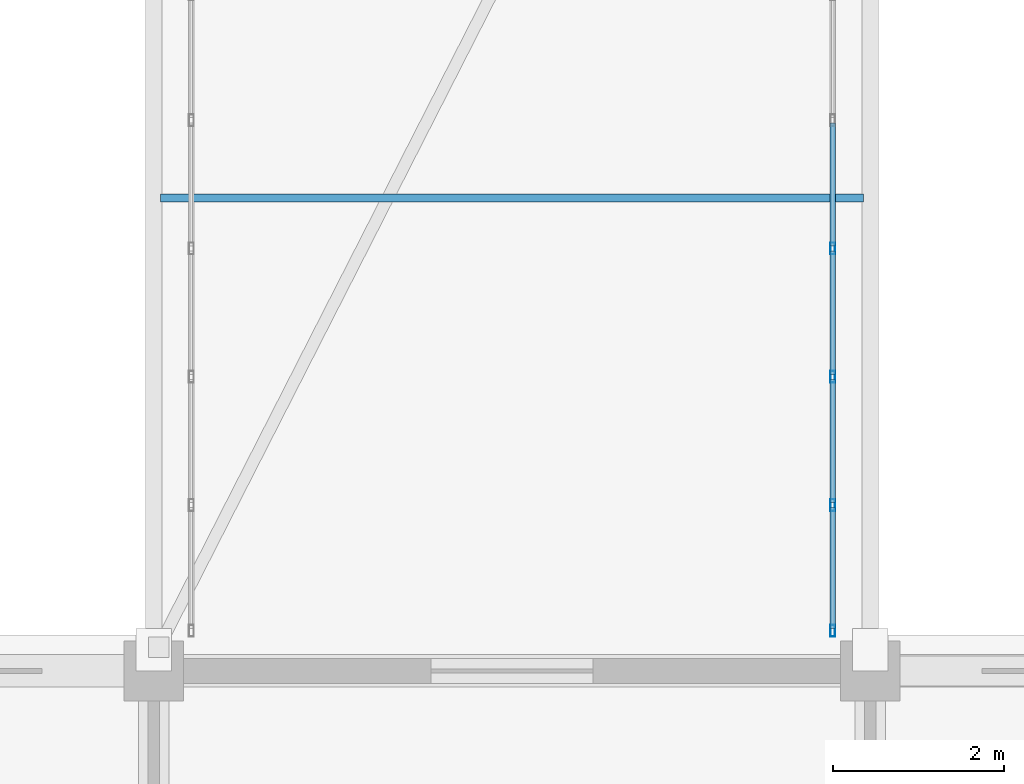
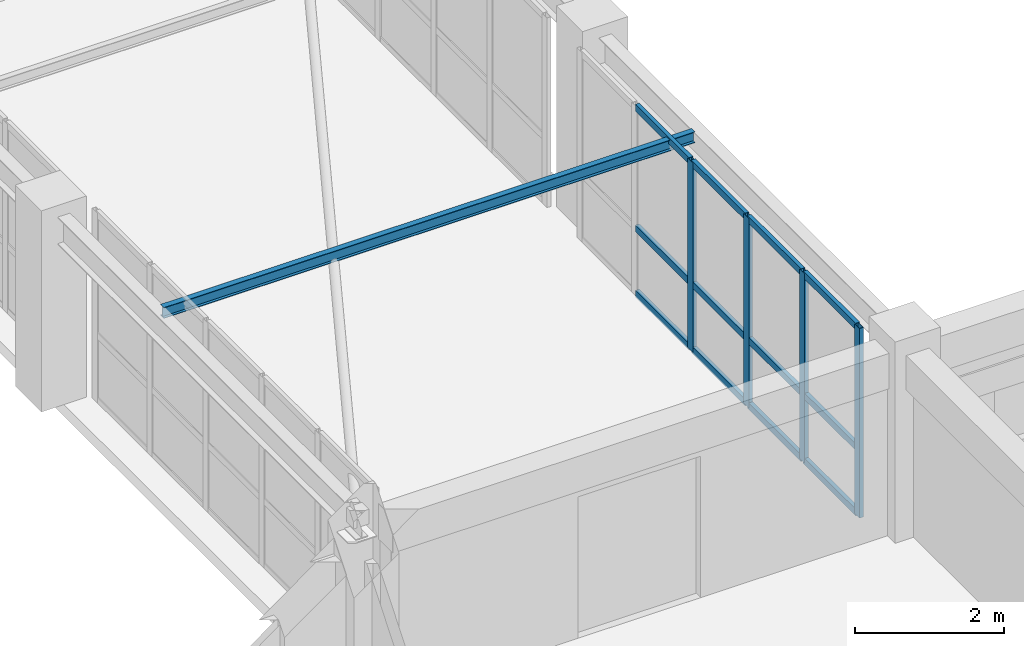
# One storey, part 28 of 148: 16 members, 1 beam, 1 element without a shape of its own.
"""IFC4 building model written with IfcOpenShell, lengths in metres."""

from ifc_helpers import new_model, si_unit, direction, frame, origin, origin_2d, place, context, subcontext, project, spatial, hollow_rectangle, i_section, extrude, material, layer, layer_set, material_profile, profile_set, type_object, element, aggregate, save


model = new_model("IFC4")

# Units and contexts
model_context = context("Model", 3, precision=1e-05, world=origin(), true_north=direction((0.0, 1.0)))
body_context = subcontext(model_context, "Body", "Model", "MODEL_VIEW")
ifc_project = project(units=[si_unit("LENGTHUNIT", "METRE"), si_unit("AREAUNIT", "SQUARE_METRE"), si_unit("VOLUMEUNIT", "CUBIC_METRE"), si_unit("PLANEANGLEUNIT", "RADIAN"), si_unit("MASSUNIT", "GRAM", prefix="KILO")], contexts=[model_context])

# Site, building, storey
site_placement = place(None, origin())
site = spatial("IfcSite", under=ifc_project, at=site_placement, CompositionType="ELEMENT")
building_placement = place(site_placement, origin())
building = spatial("IfcBuilding", under=site, at=building_placement, Name="Trelvath General Hospital", CompositionType="ELEMENT")
storey_placement = place(building_placement, frame((0.0, 0.0, 12.89990234375)))
storey = spatial("IfcBuildingStorey", under=building, at=storey_placement, Name="L03", CompositionType="ELEMENT", Elevation=12.89990234375)

# Beam
ifc_material_1 = material(Name="Steel S355", Category="steel")
ifc_material_profile_1 = material_profile(ifc_material_1, i_section(OverallWidth=0.091064453125, OverallDepth=0.179931640625, WebThickness=0.00537109375, FlangeThickness=0.008056640625, at=origin_2d()), Name="IPE180")
ifc_profile_set_1 = profile_set([ifc_material_profile_1], Name="Steel S355")
beam_type = type_object("IfcBeamType", Name="BridgeJoist IPE180", PredefinedType="JOIST", material=ifc_profile_set_1)
beam_placement = place(storey_placement, frame((75.679931640625, 30.743896484375, 3.02001953125), z_axis=(1.0, 0.0, 0.0), x_axis=(0.0, 1.0, 0.0)))
element("IfcBeam", 1, at=beam_placement, inside=storey, type_object=beam_type, Name="Bridge Cross Joist BRG-S-C L04", PredefinedType="JOIST", context=body_context, shape_type="SweptSolid", body=[
    extrude(i_section(OverallWidth=0.091064453125, OverallDepth=0.179931640625, WebThickness=0.00537109375, FlangeThickness=0.008056640625, at=origin_2d()), origin(), (0.0, 0.0, 1.0), 8.239990234375),
])

# Curtain wall, members
ifc_material_2 = material(Name="Anodised aluminium and low-E glass", Category="aluminium")
ifc_layer = layer(ifc_material_2, 0.139892578125)
ifc_layer_set = layer_set([ifc_layer], Name="Anodised aluminium and low-E glass")
curtain_wall_type = type_object("IfcCurtainWallType", Name="CW Bridge 752 311", PredefinedType="USERDEFINED", material=ifc_layer_set)
curtain_wall_placement = place(storey_placement, origin())
curtain_wall = element("IfcCurtainWall", 2, at=curtain_wall_placement, inside=storey, type_object=curtain_wall_type, Name="Glazed Bridge Curtain Wall BRG-S-C E L03", ObjectType="Unitised Glazed Curtain Wall", PredefinedType="USERDEFINED")
ifc_material_3 = material(Name="Anodised aluminium", Category="aluminium")
ifc_material_profile_2 = material_profile(ifc_material_3, hollow_rectangle(XDim=0.06005859375, YDim=0.139892578125, WallThickness=0.00390625, at=origin_2d()), Name="RHS60x140x4")
ifc_profile_set_2 = profile_set([ifc_material_profile_2], Name="Anodised aluminium")
member_type_1 = type_object("IfcMemberType", Name="CurtainMullion 60x140", PredefinedType="MULLION", material=ifc_profile_set_2)
member_1_placement = place(storey_placement, frame((83.56005859375, 30.152099609375, 0.0), z_axis=(0.0, 0.0, 1.0), x_axis=(1.0, 0.0, 0.0)))
member_1 = element("IfcMember", 3, at=member_1_placement, type_object=member_type_1, Name="CW-265 mullion 3", PredefinedType="MULLION", context=body_context, shape_type="SweptSolid", body=[
    extrude(hollow_rectangle(XDim=0.06005859375, YDim=0.139892578125, WallThickness=0.00390625, at=origin_2d()), origin(), (0.0, 0.0, 1.0), 3.110107421875),
])
member_2_placement = place(storey_placement, frame((83.56005859375, 28.64794921875, 0.0), z_axis=(0.0, 0.0, 1.0), x_axis=(1.0, 0.0, 0.0)))
member_2 = element("IfcMember", 4, at=member_2_placement, type_object=member_type_1, Name="CW-265 mullion 4", PredefinedType="MULLION", context=body_context, shape_type="SweptSolid", body=[
    extrude(hollow_rectangle(XDim=0.06005859375, YDim=0.139892578125, WallThickness=0.00390625, at=origin_2d()), origin(), (0.0, 0.0, 1.0), 3.110107421875),
])
member_3_placement = place(storey_placement, frame((83.56005859375, 27.14404296875, 0.0), z_axis=(0.0, 0.0, 1.0), x_axis=(1.0, 0.0, 0.0)))
member_3 = element("IfcMember", 5, at=member_3_placement, type_object=member_type_1, Name="CW-265 mullion 5", PredefinedType="MULLION", context=body_context, shape_type="SweptSolid", body=[
    extrude(hollow_rectangle(XDim=0.06005859375, YDim=0.139892578125, WallThickness=0.00390625, at=origin_2d()), origin(), (0.0, 0.0, 1.0), 3.110107421875),
])
member_4_placement = place(storey_placement, frame((83.56005859375, 25.669921875, 0.0), z_axis=(0.0, 0.0, 1.0), x_axis=(1.0, 0.0, 0.0)))
member_4 = element("IfcMember", 6, at=member_4_placement, type_object=member_type_1, Name="CW-265 mullion 6", PredefinedType="MULLION", context=body_context, shape_type="SweptSolid", body=[
    extrude(hollow_rectangle(XDim=0.06005859375, YDim=0.139892578125, WallThickness=0.00390625, at=origin_2d()), origin(), (0.0, 0.0, 1.0), 3.110107421875),
])
ifc_material_4 = material(Name="Anodised aluminium", Category="aluminium")
ifc_material_profile_3 = material_profile(ifc_material_4, hollow_rectangle(XDim=0.06005859375, YDim=0.110107421875, WallThickness=0.00390625, at=origin_2d()), Name="RHS60x110x4")
ifc_profile_set_3 = profile_set([ifc_material_profile_3], Name="Anodised aluminium")
member_type_2 = type_object("IfcMemberType", Name="CurtainTransom 60x110", PredefinedType="USERDEFINED", material=ifc_profile_set_3)
member_5_placement = place(storey_placement, frame((83.56005859375, 31.6259765625, 0.030029296875), z_axis=(0.0, -1.0, 0.0), x_axis=(1.0, 0.0, 0.0)))
member_5 = element("IfcMember", 7, at=member_5_placement, type_object=member_type_2, Name="CW-265 transom 2.1", ObjectType="TRANSOM", PredefinedType="USERDEFINED", context=body_context, shape_type="SweptSolid", body=[
    extrude(hollow_rectangle(XDim=0.06005859375, YDim=0.110107421875, WallThickness=0.00390625, at=origin_2d()), origin(), (0.0, 0.0, 1.0), 1.444091796875),
])
member_6_placement = place(storey_placement, frame((83.56005859375, 31.6259765625, 1.10009765625), z_axis=(0.0, -1.0, 0.0), x_axis=(1.0, 0.0, 0.0)))
member_6 = element("IfcMember", 8, at=member_6_placement, type_object=member_type_2, Name="CW-265 transom 2.2", ObjectType="TRANSOM", PredefinedType="USERDEFINED", context=body_context, shape_type="SweptSolid", body=[
    extrude(hollow_rectangle(XDim=0.06005859375, YDim=0.110107421875, WallThickness=0.00390625, at=origin_2d()), origin(), (0.0, 0.0, 1.0), 1.444091796875),
])
member_7_placement = place(storey_placement, frame((83.56005859375, 31.6259765625, 3.080078125), z_axis=(0.0, -1.0, 0.0), x_axis=(1.0, 0.0, 0.0)))
member_7 = element("IfcMember", 9, at=member_7_placement, type_object=member_type_2, Name="CW-265 transom 2.3", ObjectType="TRANSOM", PredefinedType="USERDEFINED", context=body_context, shape_type="SweptSolid", body=[
    extrude(hollow_rectangle(XDim=0.06005859375, YDim=0.110107421875, WallThickness=0.00390625, at=origin_2d()), origin(), (0.0, 0.0, 1.0), 1.444091796875),
])
member_8_placement = place(storey_placement, frame((83.56005859375, 30.1220703125, 0.030029296875), z_axis=(0.0, -1.0, 0.0), x_axis=(1.0, 0.0, 0.0)))
member_8 = element("IfcMember", 10, at=member_8_placement, type_object=member_type_2, Name="CW-265 transom 3.1", ObjectType="TRANSOM", PredefinedType="USERDEFINED", context=body_context, shape_type="SweptSolid", body=[
    extrude(hollow_rectangle(XDim=0.06005859375, YDim=0.110107421875, WallThickness=0.00390625, at=origin_2d()), origin(), (0.0, 0.0, 1.0), 1.444091796875),
])
member_9_placement = place(storey_placement, frame((83.56005859375, 30.1220703125, 1.10009765625), z_axis=(0.0, -1.0, 0.0), x_axis=(1.0, 0.0, 0.0)))
member_9 = element("IfcMember", 11, at=member_9_placement, type_object=member_type_2, Name="CW-265 transom 3.2", ObjectType="TRANSOM", PredefinedType="USERDEFINED", context=body_context, shape_type="SweptSolid", body=[
    extrude(hollow_rectangle(XDim=0.06005859375, YDim=0.110107421875, WallThickness=0.00390625, at=origin_2d()), origin(), (0.0, 0.0, 1.0), 1.444091796875),
])
member_10_placement = place(storey_placement, frame((83.56005859375, 30.1220703125, 3.080078125), z_axis=(0.0, -1.0, 0.0), x_axis=(1.0, 0.0, 0.0)))
member_10 = element("IfcMember", 12, at=member_10_placement, type_object=member_type_2, Name="CW-265 transom 3.3", ObjectType="TRANSOM", PredefinedType="USERDEFINED", context=body_context, shape_type="SweptSolid", body=[
    extrude(hollow_rectangle(XDim=0.06005859375, YDim=0.110107421875, WallThickness=0.00390625, at=origin_2d()), origin(), (0.0, 0.0, 1.0), 1.444091796875),
])
member_11_placement = place(storey_placement, frame((83.56005859375, 28.617919921875, 0.030029296875), z_axis=(0.0, -1.0, 0.0), x_axis=(1.0, 0.0, 0.0)))
member_11 = element("IfcMember", 13, at=member_11_placement, type_object=member_type_2, Name="CW-265 transom 4.1", ObjectType="TRANSOM", PredefinedType="USERDEFINED", context=body_context, shape_type="SweptSolid", body=[
    extrude(hollow_rectangle(XDim=0.06005859375, YDim=0.110107421875, WallThickness=0.00390625, at=origin_2d()), origin(), (0.0, 0.0, 1.0), 1.44384765625),
])
member_12_placement = place(storey_placement, frame((83.56005859375, 28.617919921875, 1.10009765625), z_axis=(0.0, -1.0, 0.0), x_axis=(1.0, 0.0, 0.0)))
member_12 = element("IfcMember", 14, at=member_12_placement, type_object=member_type_2, Name="CW-265 transom 4.2", ObjectType="TRANSOM", PredefinedType="USERDEFINED", context=body_context, shape_type="SweptSolid", body=[
    extrude(hollow_rectangle(XDim=0.06005859375, YDim=0.110107421875, WallThickness=0.00390625, at=origin_2d()), origin(), (0.0, 0.0, 1.0), 1.44384765625),
])
member_13_placement = place(storey_placement, frame((83.56005859375, 28.617919921875, 3.080078125), z_axis=(0.0, -1.0, 0.0), x_axis=(1.0, 0.0, 0.0)))
member_13 = element("IfcMember", 15, at=member_13_placement, type_object=member_type_2, Name="CW-265 transom 4.3", ObjectType="TRANSOM", PredefinedType="USERDEFINED", context=body_context, shape_type="SweptSolid", body=[
    extrude(hollow_rectangle(XDim=0.06005859375, YDim=0.110107421875, WallThickness=0.00390625, at=origin_2d()), origin(), (0.0, 0.0, 1.0), 1.44384765625),
])
member_14_placement = place(storey_placement, frame((83.56005859375, 27.114013671875, 0.030029296875), z_axis=(0.0, -1.0, 0.0), x_axis=(1.0, 0.0, 0.0)))
member_14 = element("IfcMember", 16, at=member_14_placement, type_object=member_type_2, Name="CW-265 transom 5.1", ObjectType="TRANSOM", PredefinedType="USERDEFINED", context=body_context, shape_type="SweptSolid", body=[
    extrude(hollow_rectangle(XDim=0.06005859375, YDim=0.110107421875, WallThickness=0.00390625, at=origin_2d()), origin(), (0.0, 0.0, 1.0), 1.4140625),
])
member_15_placement = place(storey_placement, frame((83.56005859375, 27.114013671875, 1.10009765625), z_axis=(0.0, -1.0, 0.0), x_axis=(1.0, 0.0, 0.0)))
member_15 = element("IfcMember", 17, at=member_15_placement, type_object=member_type_2, Name="CW-265 transom 5.2", ObjectType="TRANSOM", PredefinedType="USERDEFINED", context=body_context, shape_type="SweptSolid", body=[
    extrude(hollow_rectangle(XDim=0.06005859375, YDim=0.110107421875, WallThickness=0.00390625, at=origin_2d()), origin(), (0.0, 0.0, 1.0), 1.4140625),
])
member_16_placement = place(storey_placement, frame((83.56005859375, 27.114013671875, 3.080078125), z_axis=(0.0, -1.0, 0.0), x_axis=(1.0, 0.0, 0.0)))
member_16 = element("IfcMember", 18, at=member_16_placement, type_object=member_type_2, Name="CW-265 transom 5.3", ObjectType="TRANSOM", PredefinedType="USERDEFINED", context=body_context, shape_type="SweptSolid", body=[
    extrude(hollow_rectangle(XDim=0.06005859375, YDim=0.110107421875, WallThickness=0.00390625, at=origin_2d()), origin(), (0.0, 0.0, 1.0), 1.4140625),
])
aggregate(curtain_wall, [member_1, member_2, member_3, member_4, member_5, member_6, member_7, member_8, member_9, member_10, member_11, member_12, member_13, member_14, member_15, member_16])

save(model, "model.ifc")
